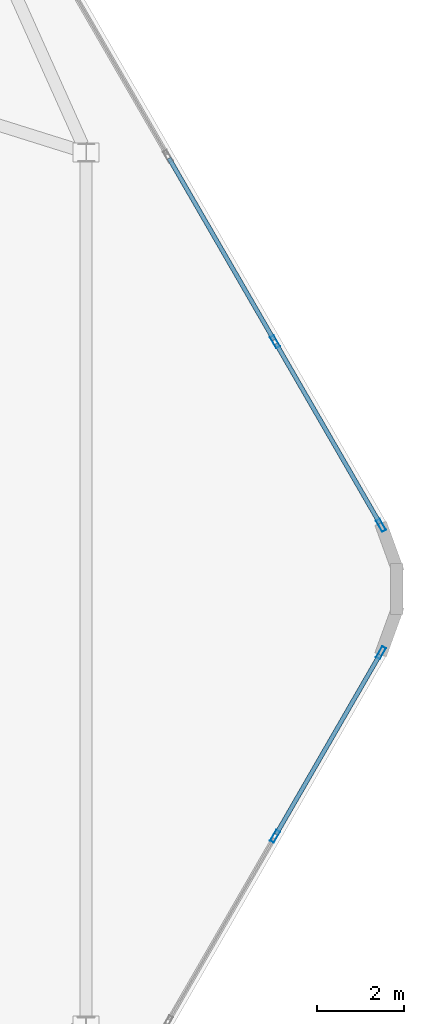
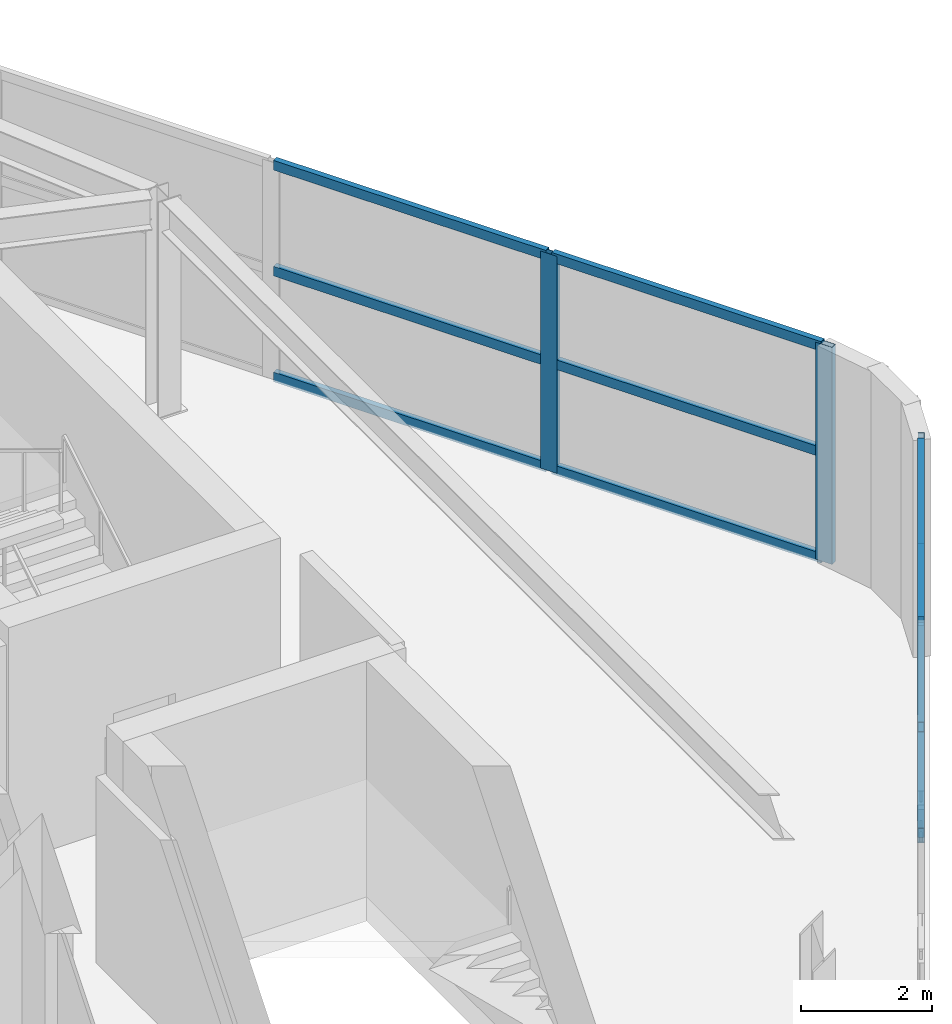
# One storey, part 9 of 17: 13 members, 2 elements without a shape of their own.
"""IFC4 building model written with IfcOpenShell, lengths in metres."""

from ifc_helpers import new_model, si_unit, direction, frame, origin, origin_2d, place, context, subcontext, project, spatial, hollow_rectangle, extrude, material, material_profile, profile_set, type_object, element, aggregate, save


model = new_model("IFC4")

# Units and contexts
model_context = context("Model", 3, precision=1e-05, world=origin(), true_north=direction((0.0, 1.0)))
body_context = subcontext(model_context, "Body", "Model", "MODEL_VIEW")
ifc_project = project(units=[si_unit("LENGTHUNIT", "METRE"), si_unit("AREAUNIT", "SQUARE_METRE"), si_unit("VOLUMEUNIT", "CUBIC_METRE"), si_unit("PLANEANGLEUNIT", "RADIAN"), si_unit("MASSUNIT", "GRAM", prefix="KILO")], contexts=[model_context])

# Site, building, storey
site_placement = place(None, origin())
site = spatial("IfcSite", under=ifc_project, at=site_placement, CompositionType="ELEMENT")
building_placement = place(site_placement, origin())
building = spatial("IfcBuilding", under=site, at=building_placement, Name="Zuhravey Tower", CompositionType="ELEMENT")
storey_placement = place(building_placement, frame((0.0, 0.0, 361.39990234375)))
storey = spatial("IfcBuildingStorey", under=building, at=storey_placement, Name="L92", CompositionType="ELEMENT", Elevation=361.39990234375)

# Curtain wall, members
ifc_material_1 = material(Name="Thermally broken anodised aluminium", Category="aluminium")
curtain_wall_type = type_object("IfcCurtainWallType", Name="Split-Top Crown Screened Curtain Wall CW6", PredefinedType="NOTDEFINED", material=ifc_material_1)
curtain_wall_1_placement = place(storey_placement, origin())
curtain_wall_1 = element("IfcCurtainWall", 1, at=curtain_wall_1_placement, inside=storey, type_object=curtain_wall_type, Name="L92 CW6 CW6-L92-EAST-04", PredefinedType="NOTDEFINED")
ifc_material_2 = material(Name="Anodised aluminium", Category="aluminium")
ifc_material_profile_1 = material_profile(ifc_material_2, hollow_rectangle(XDim=0.10009765625, YDim=0.2900390625, WallThickness=0.006103515625, at=origin_2d()), Name="ALU-RHS-100x290x6")
ifc_profile_set_1 = profile_set([ifc_material_profile_1], Name="Anodised aluminium")
member_type_1 = type_object("IfcMemberType", Name="Heavy Tall-Storey Mullion 100x220", PredefinedType="MULLION", material=ifc_profile_set_1)
member_1_placement = place(storey_placement, frame((60.528076171875, 37.6640625, 0.0), z_axis=(0.0, 0.0, 1.0), x_axis=(0.866027063754, 0.499997124838, 0.0)))
member_1 = element("IfcMember", 2, at=member_1_placement, type_object=member_type_1, Name="CW6 mullion 5", PredefinedType="MULLION", context=body_context, shape_type="SweptSolid", body=[
    extrude(hollow_rectangle(XDim=0.10009765625, YDim=0.2900390625, WallThickness=0.006103515625, at=origin_2d()), origin(), (0.0, 0.0, 1.0), 4.050048828125),
])
member_2_placement = place(storey_placement, frame((62.9560546875, 33.458984375, 0.0), z_axis=(0.0, 0.0, 1.0), x_axis=(0.866027063754, 0.499997124838, 0.0)))
member_2 = element("IfcMember", 3, at=member_2_placement, type_object=member_type_1, Name="CW6 mullion 6", PredefinedType="MULLION", context=body_context, shape_type="SweptSolid", body=[
    extrude(hollow_rectangle(XDim=0.10009765625, YDim=0.2900390625, WallThickness=0.006103515625, at=origin_2d()), origin(), (0.0, 0.0, 1.0), 4.050048828125),
])

curtain_wall_2_placement = place(storey_placement, origin())
curtain_wall_2 = element("IfcCurtainWall", 4, at=curtain_wall_2_placement, inside=storey, type_object=curtain_wall_type, Name="L92 CW6 CW6-L92-EAST-08", PredefinedType="NOTDEFINED")
member_3_placement = place(storey_placement, frame((62.9560546875, 30.541015625, 0.0), z_axis=(0.0, 0.0, 1.0), x_axis=(0.866027063754, -0.499997124838, 0.0)))
member_3 = element("IfcMember", 5, at=member_3_placement, type_object=member_type_1, Name="CW6 mullion 1", PredefinedType="MULLION", context=body_context, shape_type="SweptSolid", body=[
    extrude(hollow_rectangle(XDim=0.10009765625, YDim=0.2900390625, WallThickness=0.006103515625, at=origin_2d()), origin(), (0.0, 0.0, 1.0), 4.050048828125),
])
member_4_placement = place(storey_placement, frame((60.528076171875, 26.3359375, 0.0), z_axis=(0.0, 0.0, 1.0), x_axis=(0.866027063754, -0.499997124838, 0.0)))
member_4 = element("IfcMember", 6, at=member_4_placement, type_object=member_type_1, Name="CW6 mullion 2", PredefinedType="MULLION", context=body_context, shape_type="SweptSolid", body=[
    extrude(hollow_rectangle(XDim=0.10009765625, YDim=0.2900390625, WallThickness=0.006103515625, at=origin_2d()), origin(), (0.0, 0.0, 1.0), 4.050048828125),
])

# Member
ifc_material_profile_2 = material_profile(ifc_material_2, hollow_rectangle(XDim=0.10009765625, YDim=0.179931640625, WallThickness=0.006103515625, at=origin_2d()), Name="ALU-RHS-100x180x6")
ifc_profile_set_2 = profile_set([ifc_material_profile_2], Name="Anodised aluminium")
member_type_2 = type_object("IfcMemberType", Name="Tall-Storey Transom 100x180", PredefinedType="USERDEFINED", material=ifc_profile_set_2)
member_5_placement = place(storey_placement, frame((58.10009765625, 41.869384765625, 0.050048828125), z_axis=(0.50003466983, -0.866005386223, 0.0), x_axis=(0.866005386223, 0.50003466983, 0.0)))
member_5 = element("IfcMember", 7, at=member_5_placement, type_object=member_type_2, Name="CW6 transom 4.1", ObjectType="TRANSOM", PredefinedType="USERDEFINED", context=body_context, shape_type="SweptSolid", body=[
    extrude(hollow_rectangle(XDim=0.10009765625, YDim=0.179931640625, WallThickness=0.006103515625, at=origin_2d()), origin(), (0.0, 0.0, 1.0), 4.805908203125),
])

member_6_placement = place(storey_placement, frame((58.10009765625, 41.869384765625, 2.025146484375), z_axis=(0.50003466983, -0.866005386223, 0.0), x_axis=(0.866005386223, 0.50003466983, 0.0)))
member_6 = element("IfcMember", 8, at=member_6_placement, type_object=member_type_2, Name="CW6 transom 4.2", ObjectType="TRANSOM", PredefinedType="USERDEFINED", context=body_context, shape_type="SweptSolid", body=[
    extrude(hollow_rectangle(XDim=0.10009765625, YDim=0.179931640625, WallThickness=0.006103515625, at=origin_2d()), origin(), (0.0, 0.0, 1.0), 4.805908203125),
])

member_7_placement = place(storey_placement, frame((58.10009765625, 41.869384765625, 4.0), z_axis=(0.50003466983, -0.866005386223, 0.0), x_axis=(0.866005386223, 0.50003466983, 0.0)))
member_7 = element("IfcMember", 9, at=member_7_placement, type_object=member_type_2, Name="CW6 transom 4.3", ObjectType="TRANSOM", PredefinedType="USERDEFINED", context=body_context, shape_type="SweptSolid", body=[
    extrude(hollow_rectangle(XDim=0.10009765625, YDim=0.179931640625, WallThickness=0.006103515625, at=origin_2d()), origin(), (0.0, 0.0, 1.0), 4.805908203125),
])

member_8_placement = place(storey_placement, frame((60.552978515625, 37.620849609375, 0.050048828125), z_axis=(0.500003887042, -0.866023159588, 0.0), x_axis=(0.866023159588, 0.500003887042, 0.0)))
member_8 = element("IfcMember", 10, at=member_8_placement, type_object=member_type_2, Name="CW6 transom 5.1", ObjectType="TRANSOM", PredefinedType="USERDEFINED", context=body_context, shape_type="SweptSolid", body=[
    extrude(hollow_rectangle(XDim=0.10009765625, YDim=0.179931640625, WallThickness=0.006103515625, at=origin_2d()), origin(), (0.0, 0.0, 1.0), 4.755859375),
])

member_9_placement = place(storey_placement, frame((60.552978515625, 37.620849609375, 2.025146484375), z_axis=(0.500003887042, -0.866023159588, 0.0), x_axis=(0.866023159588, 0.500003887042, 0.0)))
member_9 = element("IfcMember", 11, at=member_9_placement, type_object=member_type_2, Name="CW6 transom 5.2", ObjectType="TRANSOM", PredefinedType="USERDEFINED", context=body_context, shape_type="SweptSolid", body=[
    extrude(hollow_rectangle(XDim=0.10009765625, YDim=0.179931640625, WallThickness=0.006103515625, at=origin_2d()), origin(), (0.0, 0.0, 1.0), 4.755859375),
])

member_10_placement = place(storey_placement, frame((60.552978515625, 37.620849609375, 4.0), z_axis=(0.500003887042, -0.866023159588, 0.0), x_axis=(0.866023159588, 0.500003887042, 0.0)))
member_10 = element("IfcMember", 12, at=member_10_placement, type_object=member_type_2, Name="CW6 transom 5.3", ObjectType="TRANSOM", PredefinedType="USERDEFINED", context=body_context, shape_type="SweptSolid", body=[
    extrude(hollow_rectangle(XDim=0.10009765625, YDim=0.179931640625, WallThickness=0.006103515625, at=origin_2d()), origin(), (0.0, 0.0, 1.0), 4.755859375),
])

aggregate(curtain_wall_1, [member_1, member_2, member_5, member_6, member_7, member_8, member_9, member_10])

member_11_placement = place(storey_placement, frame((62.930908203125, 30.497802734375, 0.050048828125), z_axis=(-0.500003887042, -0.866023159588, 0.0), x_axis=(0.866023159588, -0.500003887042, 0.0)))
member_11 = element("IfcMember", 13, at=member_11_placement, type_object=member_type_2, Name="CW6 transom 1.1", ObjectType="TRANSOM", PredefinedType="USERDEFINED", context=body_context, shape_type="SweptSolid", body=[
    extrude(hollow_rectangle(XDim=0.10009765625, YDim=0.179931640625, WallThickness=0.006103515625, at=origin_2d()), origin(), (0.0, 0.0, 1.0), 4.755859375),
])

member_12_placement = place(storey_placement, frame((62.930908203125, 30.497802734375, 2.025146484375), z_axis=(-0.500003887042, -0.866023159588, 0.0), x_axis=(0.866023159588, -0.500003887042, 0.0)))
member_12 = element("IfcMember", 14, at=member_12_placement, type_object=member_type_2, Name="CW6 transom 1.2", ObjectType="TRANSOM", PredefinedType="USERDEFINED", context=body_context, shape_type="SweptSolid", body=[
    extrude(hollow_rectangle(XDim=0.10009765625, YDim=0.179931640625, WallThickness=0.006103515625, at=origin_2d()), origin(), (0.0, 0.0, 1.0), 4.755859375),
])

member_13_placement = place(storey_placement, frame((62.930908203125, 30.497802734375, 4.0), z_axis=(-0.500003887042, -0.866023159588, 0.0), x_axis=(0.866023159588, -0.500003887042, 0.0)))
member_13 = element("IfcMember", 15, at=member_13_placement, type_object=member_type_2, Name="CW6 transom 1.3", ObjectType="TRANSOM", PredefinedType="USERDEFINED", context=body_context, shape_type="SweptSolid", body=[
    extrude(hollow_rectangle(XDim=0.10009765625, YDim=0.179931640625, WallThickness=0.006103515625, at=origin_2d()), origin(), (0.0, 0.0, 1.0), 4.755859375),
])

aggregate(curtain_wall_2, [member_3, member_4, member_11, member_12, member_13])

save(model, "model.ifc")
